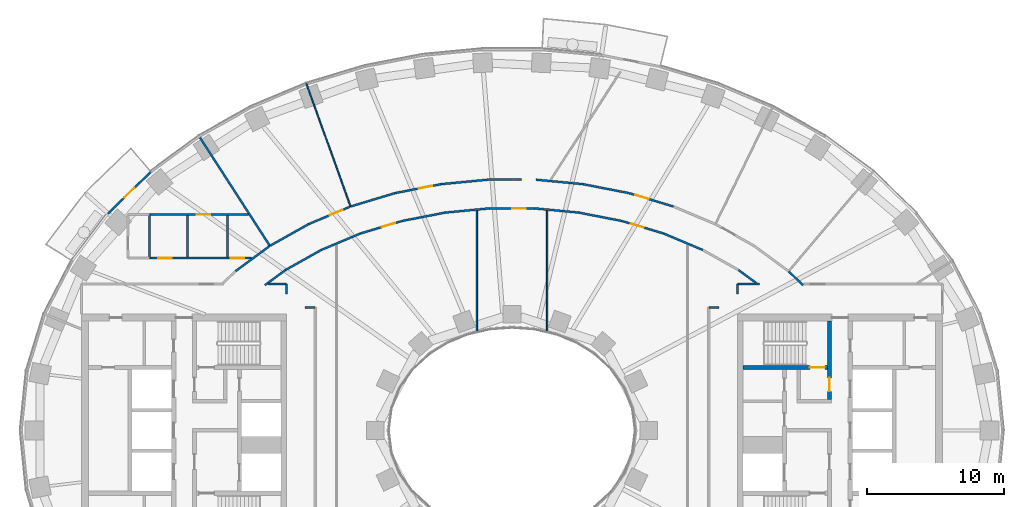
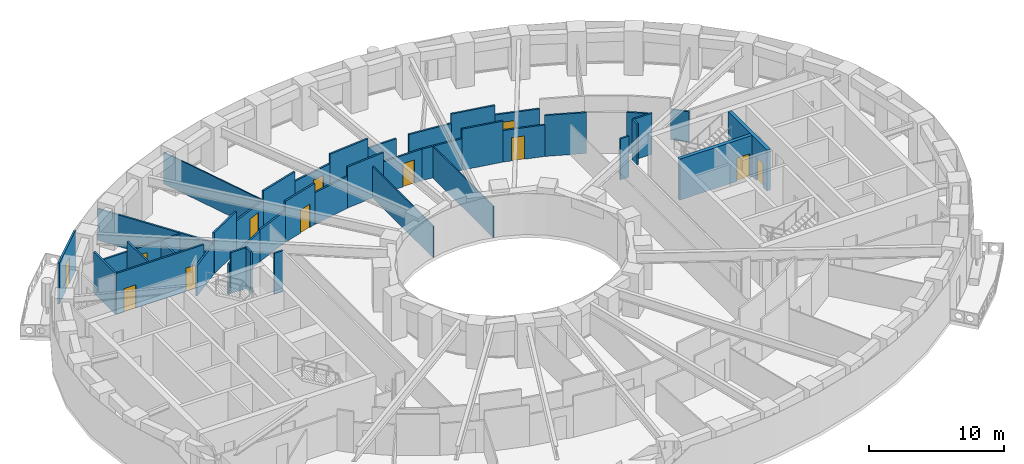
# One storey, part 6 of 16: 41 walls, 12 doors, 12 openings.
"""IFC4 building model written with IfcOpenShell, lengths in metres."""

from ifc_helpers import new_model, si_unit, direction, frame, frame_2d, origin, place, context, subcontext, project, spatial, rectangle, extrude, material, layer, layer_set, type_object, element, fill, save


model = new_model("IFC4")

# Units and contexts
model_context = context("Model", 3, precision=1e-05, world=origin(), true_north=direction((0.0, 1.0)))
body_context = subcontext(model_context, "Body", "Model", "MODEL_VIEW")
ifc_project = project(units=[si_unit("LENGTHUNIT", "METRE"), si_unit("AREAUNIT", "SQUARE_METRE"), si_unit("VOLUMEUNIT", "CUBIC_METRE"), si_unit("PLANEANGLEUNIT", "RADIAN"), si_unit("MASSUNIT", "GRAM", prefix="KILO")], contexts=[model_context])

# Site, building, storey
site_placement = place(None, origin())
site = spatial("IfcSite", under=ifc_project, at=site_placement, CompositionType="ELEMENT")
building_placement = place(site_placement, origin())
building = spatial("IfcBuilding", under=site, at=building_placement, Name="Noorbagh Ring Tower", CompositionType="ELEMENT")
storey_placement = place(building_placement, frame((0.0, 0.0, 70.5)))
storey = spatial("IfcBuildingStorey", under=building, at=storey_placement, Name="L15", CompositionType="ELEMENT", Elevation=70.5)

# Wall
ifc_material_1 = material(Name="Gypsum board on steel studs", Category="steel")
ifc_layer_1 = layer(ifc_material_1, 0.14990234375)
ifc_layer_set_1 = layer_set([ifc_layer_1], Name="Gypsum board on steel studs")
wall_type_1 = type_object("IfcWallType", Name="COMPARTMENT PARTITION 150 EI 60", PredefinedType="PARTITIONING", material=ifc_layer_set_1)
wall_1_placement = place(storey_placement, frame((-26.5390625, 12.60009765625, 0.0), z_axis=(0.0, 0.0, 1.0), x_axis=(0.0, 1.0, 0.0)))
element("IfcWall", 1, at=wall_1_placement, inside=storey, type_object=wall_type_1, Name="L15/wall/P10", PredefinedType="PARTITIONING", context=body_context, shape_type="SweptSolid", body=[
    extrude(rectangle(XDim=3.199951171875, YDim=0.14990234375, at=frame_2d((1.60009765625, 0.0))), origin(), (0.0, 0.0, 1.0), 3.699951171875),
])

# Wall, opening, door
ifc_material_2 = material(Name="Concrete C70/85", Category="concrete")
ifc_layer_2 = layer(ifc_material_2, 0.300048828125)
ifc_layer_set_2 = layer_set([ifc_layer_2], Name="Concrete C70/85")
wall_type_2 = type_object("IfcWallType", Name="CORE-WALL-300-C70-85-EI240", PredefinedType="SHEAR", material=ifc_layer_set_2)
wall_2_placement = place(storey_placement, frame((23.22998046875, 2.25, 0.0), z_axis=(0.0, 0.0, 1.0), x_axis=(0.0, 1.0, 0.0)))
wall_2 = element("IfcWall", 2, at=wall_2_placement, inside=storey, type_object=wall_type_2, Name="Core wall E", PredefinedType="SHEAR", context=body_context, shape_type="SweptSolid", body=[
    extrude(rectangle(XDim=5.75, YDim=0.300048828125, at=frame_2d((2.875, 0.0))), origin(), (0.0, 0.0, 1.0), 3.699951171875),
])
opening_1_placement = place(wall_2_placement, frame((0.60009765625, 0.0, 0.0)))
opening_1 = element("IfcOpeningElement", 3, at=opening_1_placement, cuts=wall_2, Name="Opening L15-CE08", PredefinedType="OPENING", context=body_context, shape_type="SweptSolid", body=[
    extrude(rectangle(XDim=1.0, YDim=2.10009765625, at=frame_2d((0.5, 1.050048828125))), frame((0.0, 0.16015625, 0.0), z_axis=(0.0, -1.0, 0.0), x_axis=(1.0, 0.0, 0.0)), (0.0, 0.0, 1.0), 0.320068359375),
])
ifc_material_3 = material(Name="Steel door leaf", Category="steel")
door_type_1 = type_object("IfcDoorType", Name="CORE-DOOR-DVEST", OperationType="SINGLE_SWING_LEFT", PredefinedType="DOOR", material=ifc_material_3)
door_1_placement = place(opening_1_placement, origin())
door_1 = element("IfcDoor", 4, at=door_1_placement, inside=storey, type_object=door_type_1, Name="Stair vestibule door L15-CE08", OperationType="SINGLE_SWING_RIGHT", OverallHeight=2.10009765625, OverallWidth=1.0, PredefinedType="DOOR", context=body_context, shape_type="SweptSolid", body=[
    extrude(rectangle(XDim=1.0, YDim=2.10009765625, at=frame_2d((0.5, 1.050048828125))), frame((0.0, 0.02490234375, 0.0), z_axis=(0.0, -1.0, 0.0), x_axis=(1.0, 0.0, 0.0)), (0.0, 0.0, 1.0), 0.050048828125),
])
fill(opening_1, door_1)

wall_3_placement = place(storey_placement, frame((16.89990234375, 4.60009765625, 0.0), z_axis=(0.0, 0.0, 1.0), x_axis=(1.0, 0.0, 0.0)))
wall_3 = element("IfcWall", 5, at=wall_3_placement, inside=storey, type_object=wall_type_2, Name="Core wall E", PredefinedType="SHEAR", context=body_context, shape_type="SweptSolid", body=[
    extrude(rectangle(XDim=6.18017578125, YDim=0.300048828125, at=frame_2d((3.090087890625, 0.0))), origin(), (0.0, 0.0, 1.0), 3.699951171875),
])
opening_2_placement = place(wall_3_placement, frame((4.89990234375, 0.0, 0.0)))
opening_2 = element("IfcOpeningElement", 6, at=opening_2_placement, cuts=wall_3, Name="Opening L15-CE05", PredefinedType="OPENING", context=body_context, shape_type="SweptSolid", body=[
    extrude(rectangle(XDim=1.10009765625, YDim=2.10009765625, at=frame_2d((0.550048828125, 1.050048828125))), frame((0.0, 0.16015625, 0.0), z_axis=(0.0, -1.0, 0.0), x_axis=(1.0, 0.0, 0.0)), (0.0, 0.0, 1.0), 0.320068359375),
])
ifc_material_4 = material(Name="Steel door leaf", Category="steel")
door_type_2 = type_object("IfcDoorType", Name="CORE-DOOR-DSTAIR", OperationType="SINGLE_SWING_LEFT", PredefinedType="DOOR", material=ifc_material_4)
door_2_placement = place(opening_2_placement, origin())
door_2 = element("IfcDoor", 7, at=door_2_placement, inside=storey, type_object=door_type_2, Name="Stair door ST3 L15-CE05", OperationType="SINGLE_SWING_LEFT", OverallHeight=2.10009765625, OverallWidth=1.10009765625, PredefinedType="DOOR", context=body_context, shape_type="SweptSolid", body=[
    extrude(rectangle(XDim=1.10009765625, YDim=2.10009765625, at=frame_2d((0.550048828125, 1.050048828125))), frame((0.0, 0.02490234375, 0.0), z_axis=(0.0, -1.0, 0.0), x_axis=(1.0, 0.0, 0.0)), (0.0, 0.0, 1.0), 0.050048828125),
])
fill(opening_2, door_2)

# Wall, openings, doors
ifc_material_5 = material(Name="Gypsum board on steel studs", Category="steel")
ifc_layer_3 = layer(ifc_material_5, 0.14990234375)
ifc_layer_set_3 = layer_set([ifc_layer_3], Name="Gypsum board on steel studs")
wall_type_3 = type_object("IfcWallType", Name="CORRIDOR PARTITION 150 EI 30", PredefinedType="PARTITIONING", material=ifc_layer_set_3)
wall_4_placement = place(storey_placement, frame((-26.5390625, 12.60009765625, 0.0), z_axis=(0.0, 0.0, 1.0), x_axis=(1.0, 0.0, 0.0)))
wall_4 = element("IfcWall", 8, at=wall_4_placement, inside=storey, type_object=wall_type_3, Name="L15/wall/P11", PredefinedType="PARTITIONING", context=body_context, shape_type="SweptSolid", body=[
    extrude(rectangle(XDim=7.466064453125, YDim=0.14990234375, at=frame_2d((3.73291015625, 0.0))), origin(), (0.0, 0.0, 1.0), 3.699951171875),
])
opening_3_placement = place(wall_4_placement, frame((5.94189453125, 0.0, 0.0)))
opening_3 = element("IfcOpeningElement", 9, at=opening_3_placement, cuts=wall_4, Name="Opening D3", PredefinedType="OPENING", context=body_context, shape_type="SweptSolid", body=[
    extrude(rectangle(XDim=1.0, YDim=2.10009765625, at=frame_2d((0.5, 1.050048828125))), frame((0.0, 0.0849609375, 0.0), z_axis=(0.0, -1.0, 0.0), x_axis=(1.0, 0.0, 0.0)), (0.0, 0.0, 1.0), 0.169921875),
])
opening_4_placement = place(wall_4_placement, frame((0.657958984375, 0.0, 0.0)))
opening_4 = element("IfcOpeningElement", 10, at=opening_4_placement, cuts=wall_4, Name="Opening D3", PredefinedType="OPENING", context=body_context, shape_type="SweptSolid", body=[
    extrude(rectangle(XDim=1.0, YDim=2.10009765625, at=frame_2d((0.5, 1.050048828125))), frame((0.0, 0.0849609375, 0.0), z_axis=(0.0, -1.0, 0.0), x_axis=(1.0, 0.0, 0.0)), (0.0, 0.0, 1.0), 0.169921875),
])
ifc_material_6 = material(Name="Timber, painted", Category="wood")
door_type_3 = type_object("IfcDoorType", Name="DOOR 1000 X 2100 WC", OperationType="SINGLE_SWING_LEFT", PredefinedType="DOOR", material=ifc_material_6)
door_3_placement = place(opening_3_placement, origin())
door_3 = element("IfcDoor", 11, at=door_3_placement, inside=storey, type_object=door_type_3, Name="L15-D02", OperationType="SINGLE_SWING_RIGHT", OverallHeight=2.10009765625, OverallWidth=1.0, PredefinedType="DOOR", context=body_context, shape_type="SweptSolid", body=[
    extrude(rectangle(XDim=1.0, YDim=2.10009765625, at=frame_2d((0.5, 1.050048828125))), frame((0.0, 0.02490234375, 0.0), z_axis=(0.0, -1.0, 0.0), x_axis=(1.0, 0.0, 0.0)), (0.0, 0.0, 1.0), 0.050048828125),
])
fill(opening_3, door_3)
door_4_placement = place(opening_4_placement, origin())
door_4 = element("IfcDoor", 12, at=door_4_placement, inside=storey, type_object=door_type_3, Name="L15-D04", OperationType="SINGLE_SWING_RIGHT", OverallHeight=2.10009765625, OverallWidth=1.0, PredefinedType="DOOR", context=body_context, shape_type="SweptSolid", body=[
    extrude(rectangle(XDim=1.0, YDim=2.10009765625, at=frame_2d((0.5, 1.050048828125))), frame((0.0, 0.02490234375, 0.0), z_axis=(0.0, -1.0, 0.0), x_axis=(1.0, 0.0, 0.0)), (0.0, 0.0, 1.0), 0.050048828125),
])
fill(opening_4, door_4)

# Wall, opening, door
wall_5_placement = place(storey_placement, frame((-26.5390625, 15.800048828125, 0.0), z_axis=(0.0, 0.0, 1.0), x_axis=(1.0, 0.0, 0.0)))
wall_5 = element("IfcWall", 13, at=wall_5_placement, inside=storey, type_object=wall_type_3, Name="L15/wall/P12", PredefinedType="PARTITIONING", context=body_context, shape_type="SweptSolid", body=[
    extrude(rectangle(XDim=7.2470703125, YDim=0.14990234375, at=frame_2d((3.62353515625, 0.0))), origin(), (0.0, 0.0, 1.0), 2.75),
])
opening_5_placement = place(wall_5_placement, frame((3.4580078125, 0.0, 0.0)))
opening_5 = element("IfcOpeningElement", 14, at=opening_5_placement, cuts=wall_5, Name="Opening D3", PredefinedType="OPENING", context=body_context, shape_type="SweptSolid", body=[
    extrude(rectangle(XDim=1.0, YDim=2.10009765625, at=frame_2d((0.5, 1.050048828125))), frame((0.0, 0.0849609375, 0.0), z_axis=(0.0, -1.0, 0.0), x_axis=(1.0, 0.0, 0.0)), (0.0, 0.0, 1.0), 0.169921875),
])
door_5_placement = place(opening_5_placement, origin())
door_5 = element("IfcDoor", 15, at=door_5_placement, inside=storey, type_object=door_type_3, Name="L15-D03", OperationType="SINGLE_SWING_LEFT", OverallHeight=2.10009765625, OverallWidth=1.0, PredefinedType="DOOR", context=body_context, shape_type="SweptSolid", body=[
    extrude(rectangle(XDim=1.0, YDim=2.10009765625, at=frame_2d((0.5, 1.050048828125))), frame((0.0, 0.02490234375, 0.0), z_axis=(0.0, -1.0, 0.0), x_axis=(1.0, 0.0, 0.0)), (0.0, 0.0, 1.0), 0.050048828125),
])
fill(opening_5, door_5)

# Walls
wall_6_placement = place(storey_placement, frame((-23.73095703125, 12.675048828125, 0.0), z_axis=(0.0, 0.0, 1.0), x_axis=(0.0, 1.0, 0.0)))
element("IfcWall", 16, at=wall_6_placement, inside=storey, type_object=wall_type_3, Name="L15/wall/P13", PredefinedType="PARTITIONING", context=body_context, shape_type="SweptSolid", body=[
    extrude(rectangle(XDim=3.050048828125, YDim=0.14990234375, at=frame_2d((1.52490234375, 0.0))), origin(), (0.0, 0.0, 1.0), 3.699951171875),
])
wall_7_placement = place(storey_placement, frame((-22.905029296875, 21.5419921875, 0.0), z_axis=(0.0, 0.0, 1.0), x_axis=(0.542244314938, -0.840220865557, 0.0)))
element("IfcWall", 17, at=wall_7_placement, inside=storey, type_object=wall_type_3, Name="L15/wall/P15", PredefinedType="PARTITIONING", context=body_context, shape_type="SweptSolid", body=[
    extrude(rectangle(XDim=9.56396484375, YDim=0.14990234375, at=frame_2d((4.781982421875, 0.0))), origin(), (0.0, 0.0, 1.0), 2.85009765625),
])
wall_8_placement = place(storey_placement, frame((-20.819091796875, 12.675048828125, 0.0), z_axis=(0.0, 0.0, 1.0), x_axis=(0.0, 1.0, 0.0)))
element("IfcWall", 18, at=wall_8_placement, inside=storey, type_object=wall_type_3, Name="L15/wall/P18", PredefinedType="PARTITIONING", context=body_context, shape_type="SweptSolid", body=[
    extrude(rectangle(XDim=3.050048828125, YDim=0.14990234375, at=frame_2d((1.52490234375, 0.0))), origin(), (0.0, 0.0, 1.0), 2.75),
])
wall_9_placement = place(storey_placement, frame((-20.242919921875, 11.64208984375, 0.0), z_axis=(0.0, 0.0, 1.0), x_axis=(0.805148342369, 0.593073475027, 0.0)))
element("IfcWall", 19, at=wall_9_placement, inside=storey, type_object=wall_type_3, Name="L15/wall/P20", PredefinedType="PARTITIONING", context=body_context, shape_type="SweptSolid", body=[
    extrude(rectangle(XDim=3.117431640625, YDim=0.14990234375, at=frame_2d((1.55859375, 0.0))), origin(), (0.0, 0.0, 1.0), 2.75),
])
wall_10_placement = place(storey_placement, frame((-18.0830078125, 10.625, 0.0), z_axis=(0.0, 0.0, 1.0), x_axis=(0.805150898842, 0.593070004379, 0.0)))
element("IfcWall", 20, at=wall_10_placement, inside=storey, type_object=wall_type_3, Name="L15/wall/P23", PredefinedType="PARTITIONING", context=body_context, shape_type="SweptSolid", body=[
    extrude(rectangle(XDim=1.871826171875, YDim=0.14990234375, at=frame_2d((0.93603515625, 0.0))), origin(), (0.0, 0.0, 1.0), 2.75),
])
wall_11_placement = place(storey_placement, frame((-17.85498046875, 10.699951171875, 0.0), z_axis=(0.0, 0.0, 1.0), x_axis=(1.0, 0.0, 0.0)))
element("IfcWall", 21, at=wall_11_placement, inside=storey, type_object=wall_type_3, Name="L15/wall/P24", PredefinedType="PARTITIONING", context=body_context, shape_type="SweptSolid", body=[
    extrude(rectangle(XDim=1.35498046875, YDim=0.14990234375, at=frame_2d((0.677490234375, 0.0))), origin(), (0.0, 0.0, 1.0), 3.699951171875),
])
wall_12_placement = place(storey_placement, frame((-17.698974609375, 13.512939453125, 0.0), z_axis=(0.0, 0.0, 1.0), x_axis=(0.872072163686, 0.489377299559, 0.0)))
element("IfcWall", 22, at=wall_12_placement, inside=storey, type_object=wall_type_3, Name="L15/wall/P26", PredefinedType="PARTITIONING", context=body_context, shape_type="SweptSolid", body=[
    extrude(rectangle(XDim=3.226806640625, YDim=0.14990234375, at=frame_2d((1.61328125, 0.0))), origin(), (0.0, 0.0, 1.0), 3.699951171875),
])
wall_13_placement = place(storey_placement, frame((-16.575927734375, 11.735107421875, 0.0), z_axis=(0.0, 0.0, 1.0), x_axis=(0.872164226045, 0.489213207924, 0.0)))
element("IfcWall", 23, at=wall_13_placement, inside=storey, type_object=wall_type_3, Name="L15/wall/P28", PredefinedType="PARTITIONING", context=body_context, shape_type="SweptSolid", body=[
    extrude(rectangle(XDim=2.998291015625, YDim=0.14990234375, at=frame_2d((1.4990234375, 0.0))), origin(), (0.0, 0.0, 1.0), 2.75),
])
wall_14_placement = place(storey_placement, frame((-16.5, 9.964111328125, 0.0), z_axis=(0.0, 0.0, 1.0), x_axis=(0.0, 1.0, 0.0)))
element("IfcWall", 24, at=wall_14_placement, inside=storey, type_object=wall_type_3, Name="L15/wall/P30", PredefinedType="PARTITIONING", context=body_context, shape_type="SweptSolid", body=[
    extrude(rectangle(XDim=0.73583984375, YDim=0.14990234375, at=frame_2d((0.367919921875, 0.0))), origin(), (0.0, 0.0, 1.0), 3.699951171875),
])
wall_15_placement = place(storey_placement, frame((-15.134033203125, 9.0, 0.0), z_axis=(0.0, 0.0, 1.0), x_axis=(1.0, 0.0, 0.0)))
element("IfcWall", 25, at=wall_15_placement, inside=storey, type_object=wall_type_3, Name="L15/wall/P32", PredefinedType="PARTITIONING", context=body_context, shape_type="SweptSolid", body=[
    extrude(rectangle(XDim=0.734130859375, YDim=0.14990234375, at=frame_2d((0.3671875, 0.0))), origin(), (0.0, 0.0, 1.0), 3.699951171875),
])

# Wall, opening, door
wall_16_placement = place(storey_placement, frame((-14.885009765625, 15.092041015625, 0.0), z_axis=(0.0, 0.0, 1.0), x_axis=(0.921844706698, 0.387559462189, 0.0)))
wall_16 = element("IfcWall", 26, at=wall_16_placement, inside=storey, type_object=wall_type_3, Name="L15/wall/P36", PredefinedType="PARTITIONING", context=body_context, shape_type="SweptSolid", body=[
    extrude(rectangle(XDim=3.31298828125, YDim=0.14990234375, at=frame_2d((1.656494140625, 0.0))), origin(), (0.0, 0.0, 1.0), 2.85009765625),
])
opening_6_placement = place(wall_16_placement, frame((1.68359375, 0.0, 0.0)))
opening_6 = element("IfcOpeningElement", 27, at=opening_6_placement, cuts=wall_16, Name="Opening D1", PredefinedType="OPENING", context=body_context, shape_type="SweptSolid", body=[
    extrude(rectangle(XDim=1.0, YDim=2.10009765625, at=frame_2d((0.5, 1.050048828125))), frame((0.0, 0.0849609375, 0.0), z_axis=(0.0, -1.0, 0.0), x_axis=(1.0, 0.0, 0.0)), (0.0, 0.0, 1.0), 0.169921875),
])
ifc_material_7 = material(Name="Timber, painted", Category="wood")
door_type_4 = type_object("IfcDoorType", Name="DOOR 1000 X 2100 FD30", OperationType="SINGLE_SWING_LEFT", PredefinedType="DOOR", material=ifc_material_7)
door_6_placement = place(opening_6_placement, origin())
door_6 = element("IfcDoor", 28, at=door_6_placement, inside=storey, type_object=door_type_4, Name="L15-D09", OperationType="SINGLE_SWING_LEFT", OverallHeight=2.10009765625, OverallWidth=1.0, PredefinedType="DOOR", context=body_context, shape_type="SweptSolid", body=[
    extrude(rectangle(XDim=1.0, YDim=2.10009765625, at=frame_2d((0.5, 1.050048828125))), frame((0.0, 0.02490234375, 0.0), z_axis=(0.0, -1.0, 0.0), x_axis=(1.0, 0.0, 0.0)), (0.0, 0.0, 1.0), 0.050048828125),
])
fill(opening_6, door_6)

# Walls
wall_17_placement = place(storey_placement, frame((-13.9609375, 13.201904296875, 0.0), z_axis=(0.0, 0.0, 1.0), x_axis=(0.921753827375, 0.387775555857, 0.0)))
element("IfcWall", 29, at=wall_17_placement, inside=storey, type_object=wall_type_3, Name="L15/wall/P39", PredefinedType="PARTITIONING", context=body_context, shape_type="SweptSolid", body=[
    extrude(rectangle(XDim=3.1025390625, YDim=0.14990234375, at=frame_2d((1.55126953125, 0.0))), origin(), (0.0, 0.0, 1.0), 2.85009765625),
])
wall_18_placement = place(storey_placement, frame((-11.81201171875, 16.384033203125, 0.0), z_axis=(0.0, 0.0, 1.0), x_axis=(0.95754884035, 0.28827108482, 0.0)))
element("IfcWall", 30, at=wall_18_placement, inside=storey, type_object=wall_type_3, Name="L15/wall/P42", PredefinedType="PARTITIONING", context=body_context, shape_type="SweptSolid", body=[
    extrude(rectangle(XDim=3.396240234375, YDim=0.14990234375, at=frame_2d((1.6982421875, 0.0))), origin(), (0.0, 0.0, 1.0), 3.699951171875),
])

# Wall, opening, door
wall_19_placement = place(storey_placement, frame((-11.10107421875, 14.405029296875, 0.0), z_axis=(0.0, 0.0, 1.0), x_axis=(0.957612601062, 0.28805920622, 0.0)))
wall_19 = element("IfcWall", 31, at=wall_19_placement, inside=storey, type_object=wall_type_3, Name="L15/wall/P44", PredefinedType="PARTITIONING", context=body_context, shape_type="SweptSolid", body=[
    extrude(rectangle(XDim=3.179931640625, YDim=0.14990234375, at=frame_2d((1.58984375, 0.0))), origin(), (0.0, 0.0, 1.0), 3.699951171875),
])
opening_7_placement = place(wall_19_placement, frame((1.64990234375, 0.0, 0.0)))
opening_7 = element("IfcOpeningElement", 32, at=opening_7_placement, cuts=wall_19, Name="Opening D1", PredefinedType="OPENING", context=body_context, shape_type="SweptSolid", body=[
    extrude(rectangle(XDim=1.0, YDim=2.10009765625, at=frame_2d((0.5, 1.050048828125))), frame((0.0, 0.0849609375, 0.0), z_axis=(0.0, -1.0, 0.0), x_axis=(1.0, 0.0, 0.0)), (0.0, 0.0, 1.0), 0.169921875),
])
door_7_placement = place(opening_7_placement, origin())
door_7 = element("IfcDoor", 33, at=door_7_placement, inside=storey, type_object=door_type_4, Name="L15-D22", OperationType="SINGLE_SWING_RIGHT", OverallHeight=2.10009765625, OverallWidth=1.0, PredefinedType="DOOR", context=body_context, shape_type="SweptSolid", body=[
    extrude(rectangle(XDim=1.0, YDim=2.10009765625, at=frame_2d((0.5, 1.050048828125))), frame((0.0, 0.02490234375, 0.0), z_axis=(0.0, -1.0, 0.0), x_axis=(1.0, 0.0, 0.0)), (0.0, 0.0, 1.0), 0.050048828125),
])
fill(opening_7, door_7)

wall_20_placement = place(storey_placement, frame((-8.56005859375, 17.363037109375, 0.0), z_axis=(0.0, 0.0, 1.0), x_axis=(0.981639027618, 0.1907480523, 0.0)))
wall_20 = element("IfcWall", 34, at=wall_20_placement, inside=storey, type_object=wall_type_3, Name="L15/wall/P46", PredefinedType="PARTITIONING", context=body_context, shape_type="SweptSolid", body=[
    extrude(rectangle(XDim=3.439208984375, YDim=0.14990234375, at=frame_2d((1.7197265625, 0.0))), origin(), (0.0, 0.0, 1.0), 2.85009765625),
])
opening_8_placement = place(wall_20_placement, frame((1.7890625, 0.0, 0.0)))
opening_8 = element("IfcOpeningElement", 35, at=opening_8_placement, cuts=wall_20, Name="Opening D1", PredefinedType="OPENING", context=body_context, shape_type="SweptSolid", body=[
    extrude(rectangle(XDim=1.0, YDim=2.10009765625, at=frame_2d((0.5, 1.050048828125))), frame((0.0, 0.0849609375, 0.0), z_axis=(0.0, -1.0, 0.0), x_axis=(1.0, 0.0, 0.0)), (0.0, 0.0, 1.0), 0.169921875),
])
door_8_placement = place(opening_8_placement, origin())
door_8 = element("IfcDoor", 36, at=door_8_placement, inside=storey, type_object=door_type_4, Name="L15-D11", OperationType="SINGLE_SWING_LEFT", OverallHeight=2.10009765625, OverallWidth=1.0, PredefinedType="DOOR", context=body_context, shape_type="SweptSolid", body=[
    extrude(rectangle(XDim=1.0, YDim=2.10009765625, at=frame_2d((0.5, 1.050048828125))), frame((0.0, 0.02490234375, 0.0), z_axis=(0.0, -1.0, 0.0), x_axis=(1.0, 0.0, 0.0)), (0.0, 0.0, 1.0), 0.050048828125),
])
fill(opening_8, door_8)

# Walls
wall_21_placement = place(storey_placement, frame((-8.055908203125, 15.321044921875, 0.0), z_axis=(0.0, 0.0, 1.0), x_axis=(0.981604377859, 0.190926282547, 0.0)))
element("IfcWall", 37, at=wall_21_placement, inside=storey, type_object=wall_type_3, Name="L15/wall/P48", PredefinedType="PARTITIONING", context=body_context, shape_type="SweptSolid", body=[
    extrude(rectangle(XDim=3.231201171875, YDim=0.14990234375, at=frame_2d((1.61572265625, 0.0))), origin(), (0.0, 0.0, 1.0), 2.85009765625),
])
wall_22_placement = place(storey_placement, frame((-5.18408203125, 18.01904296875, 0.0), z_axis=(0.0, 0.0, 1.0), x_axis=(0.995482474707, 0.09494547146, 0.0)))
element("IfcWall", 38, at=wall_22_placement, inside=storey, type_object=wall_type_3, Name="L15/wall/P50", PredefinedType="PARTITIONING", context=body_context, shape_type="SweptSolid", body=[
    extrude(rectangle(XDim=3.463623046875, YDim=0.14990234375, at=frame_2d((1.73193359375, 0.0))), origin(), (0.0, 0.0, 1.0), 3.699951171875),
])
wall_23_placement = place(storey_placement, frame((-4.884033203125, 15.93798828125, 0.0), z_axis=(0.0, 0.0, 1.0), x_axis=(0.99547459835, 0.095028017131, 0.0)))
element("IfcWall", 39, at=wall_23_placement, inside=storey, type_object=wall_type_3, Name="L15/wall/P52", PredefinedType="PARTITIONING", context=body_context, shape_type="SweptSolid", body=[
    extrude(rectangle(XDim=3.2626953125, YDim=0.14990234375, at=frame_2d((1.63134765625, 0.0))), origin(), (0.0, 0.0, 1.0), 3.699951171875),
])
wall_24_placement = place(storey_placement, frame((-1.736083984375, 18.347900390625, 0.0), z_axis=(0.0, 0.0, 1.0), x_axis=(1.0, 0.0, 0.0)))
element("IfcWall", 40, at=wall_24_placement, inside=storey, type_object=wall_type_3, Name="L15/wall/P56", PredefinedType="PARTITIONING", context=body_context, shape_type="SweptSolid", body=[
    extrude(rectangle(XDim=2.4130859375, YDim=0.14990234375, at=frame_2d((1.20654296875, 0.0))), origin(), (0.0, 0.0, 1.0), 2.85009765625),
])

# Wall, opening, door
wall_25_placement = place(storey_placement, frame((-1.635986328125, 16.248046875, 0.0), z_axis=(0.0, 0.0, 1.0), x_axis=(1.0, 0.0, 0.0)))
wall_25 = element("IfcWall", 41, at=wall_25_placement, inside=storey, type_object=wall_type_3, Name="L15/wall/P58", PredefinedType="PARTITIONING", context=body_context, shape_type="SweptSolid", body=[
    extrude(rectangle(XDim=3.27197265625, YDim=0.14990234375, at=frame_2d((1.635986328125, 0.0))), origin(), (0.0, 0.0, 1.0), 2.85009765625),
])
opening_9_placement = place(wall_25_placement, frame((1.64990234375, 0.0, 0.0)))
opening_9 = element("IfcOpeningElement", 42, at=opening_9_placement, cuts=wall_25, Name="Opening D1", PredefinedType="OPENING", context=body_context, shape_type="SweptSolid", body=[
    extrude(rectangle(XDim=1.0, YDim=2.10009765625, at=frame_2d((0.5, 1.050048828125))), frame((0.0, 0.0849609375, 0.0), z_axis=(0.0, -1.0, 0.0), x_axis=(1.0, 0.0, 0.0)), (0.0, 0.0, 1.0), 0.169921875),
])
door_9_placement = place(opening_9_placement, origin())
door_9 = element("IfcDoor", 43, at=door_9_placement, inside=storey, type_object=door_type_4, Name="L15-D24", OperationType="SINGLE_SWING_RIGHT", OverallHeight=2.10009765625, OverallWidth=1.0, PredefinedType="DOOR", context=body_context, shape_type="SweptSolid", body=[
    extrude(rectangle(XDim=1.0, YDim=2.10009765625, at=frame_2d((0.5, 1.050048828125))), frame((0.0, 0.02490234375, 0.0), z_axis=(0.0, -1.0, 0.0), x_axis=(1.0, 0.0, 0.0)), (0.0, 0.0, 1.0), 0.050048828125),
])
fill(opening_9, door_9)

# Walls
wall_26_placement = place(storey_placement, frame((1.635986328125, 16.248046875, 0.0), z_axis=(0.0, 0.0, 1.0), x_axis=(0.99547459835, -0.095028017131, 0.0)))
element("IfcWall", 44, at=wall_26_placement, inside=storey, type_object=wall_type_3, Name="L15/wall/P60", PredefinedType="PARTITIONING", context=body_context, shape_type="SweptSolid", body=[
    extrude(rectangle(XDim=3.2626953125, YDim=0.14990234375, at=frame_2d((1.63134765625, 0.0))), origin(), (0.0, 0.0, 1.0), 2.85009765625),
])
wall_27_placement = place(storey_placement, frame((1.756103515625, 18.345947265625, 0.0), z_axis=(0.0, 0.0, 1.0), x_axis=(0.99548367506, -0.094932885187, 0.0)))
element("IfcWall", 45, at=wall_27_placement, inside=storey, type_object=wall_type_3, Name="L15/wall/P63", PredefinedType="PARTITIONING", context=body_context, shape_type="SweptSolid", body=[
    extrude(rectangle(XDim=3.443603515625, YDim=0.14990234375, at=frame_2d((1.7216796875, 0.0))), origin(), (0.0, 0.0, 1.0), 2.85009765625),
])
wall_28_placement = place(storey_placement, frame((4.884033203125, 15.93798828125, 0.0), z_axis=(0.0, 0.0, 1.0), x_axis=(0.981604377859, -0.190926282547, 0.0)))
element("IfcWall", 46, at=wall_28_placement, inside=storey, type_object=wall_type_3, Name="L15/wall/P68", PredefinedType="PARTITIONING", context=body_context, shape_type="SweptSolid", body=[
    extrude(rectangle(XDim=3.231201171875, YDim=0.14990234375, at=frame_2d((1.61572265625, 0.0))), origin(), (0.0, 0.0, 1.0), 3.699951171875),
])
wall_29_placement = place(storey_placement, frame((5.18408203125, 18.01904296875, 0.0), z_axis=(0.0, 0.0, 1.0), x_axis=(0.981650299947, -0.190690032812, 0.0)))
element("IfcWall", 47, at=wall_29_placement, inside=storey, type_object=wall_type_3, Name="L15/wall/P70", PredefinedType="PARTITIONING", context=body_context, shape_type="SweptSolid", body=[
    extrude(rectangle(XDim=3.419677734375, YDim=0.14990234375, at=frame_2d((1.7099609375, 0.0))), origin(), (0.0, 0.0, 1.0), 3.699951171875),
])

# Wall, opening, door
wall_30_placement = place(storey_placement, frame((8.055908203125, 15.321044921875, 0.0), z_axis=(0.0, 0.0, 1.0), x_axis=(0.957612601062, -0.28805920622, 0.0)))
wall_30 = element("IfcWall", 48, at=wall_30_placement, inside=storey, type_object=wall_type_3, Name="L15/wall/P72", PredefinedType="PARTITIONING", context=body_context, shape_type="SweptSolid", body=[
    extrude(rectangle(XDim=3.179931640625, YDim=0.14990234375, at=frame_2d((1.58984375, 0.0))), origin(), (0.0, 0.0, 1.0), 2.85009765625),
])
opening_10_placement = place(wall_30_placement, frame((0.64990234375, 0.0, 0.0)))
opening_10 = element("IfcOpeningElement", 49, at=opening_10_placement, cuts=wall_30, Name="Opening D1", PredefinedType="OPENING", context=body_context, shape_type="SweptSolid", body=[
    extrude(rectangle(XDim=1.0, YDim=2.10009765625, at=frame_2d((0.5, 1.050048828125))), frame((0.0, 0.0849609375, 0.0), z_axis=(0.0, -1.0, 0.0), x_axis=(1.0, 0.0, 0.0)), (0.0, 0.0, 1.0), 0.169921875),
])
door_10_placement = place(opening_10_placement, origin())
door_10 = element("IfcDoor", 50, at=door_10_placement, inside=storey, type_object=door_type_4, Name="L15-D25", OperationType="SINGLE_SWING_LEFT", OverallHeight=2.10009765625, OverallWidth=1.0, PredefinedType="DOOR", context=body_context, shape_type="SweptSolid", body=[
    extrude(rectangle(XDim=1.0, YDim=2.10009765625, at=frame_2d((0.5, 1.050048828125))), frame((0.0, 0.02490234375, 0.0), z_axis=(0.0, -1.0, 0.0), x_axis=(1.0, 0.0, 0.0)), (0.0, 0.0, 1.0), 0.050048828125),
])
fill(opening_10, door_10)

wall_31_placement = place(storey_placement, frame((8.56005859375, 17.363037109375, 0.0), z_axis=(0.0, 0.0, 1.0), x_axis=(0.95754884035, -0.28827108482, 0.0)))
wall_31 = element("IfcWall", 51, at=wall_31_placement, inside=storey, type_object=wall_type_3, Name="L15/wall/P74", PredefinedType="PARTITIONING", context=body_context, shape_type="SweptSolid", body=[
    extrude(rectangle(XDim=3.396240234375, YDim=0.14990234375, at=frame_2d((1.6982421875, 0.0))), origin(), (0.0, 0.0, 1.0), 2.85009765625),
])
opening_11_placement = place(wall_31_placement, frame((0.49609375, 0.0, 0.0)))
opening_11 = element("IfcOpeningElement", 52, at=opening_11_placement, cuts=wall_31, Name="Opening D1", PredefinedType="OPENING", context=body_context, shape_type="SweptSolid", body=[
    extrude(rectangle(XDim=1.0, YDim=2.10009765625, at=frame_2d((0.5, 1.050048828125))), frame((0.0, 0.0849609375, 0.0), z_axis=(0.0, -1.0, 0.0), x_axis=(1.0, 0.0, 0.0)), (0.0, 0.0, 1.0), 0.169921875),
])
door_11_placement = place(opening_11_placement, origin())
door_11 = element("IfcDoor", 53, at=door_11_placement, inside=storey, type_object=door_type_4, Name="L15-D14", OperationType="SINGLE_SWING_RIGHT", OverallHeight=2.10009765625, OverallWidth=1.0, PredefinedType="DOOR", context=body_context, shape_type="SweptSolid", body=[
    extrude(rectangle(XDim=1.0, YDim=2.10009765625, at=frame_2d((0.5, 1.050048828125))), frame((0.0, 0.02490234375, 0.0), z_axis=(0.0, -1.0, 0.0), x_axis=(1.0, 0.0, 0.0)), (0.0, 0.0, 1.0), 0.050048828125),
])
fill(opening_11, door_11)

# Walls
wall_32_placement = place(storey_placement, frame((11.10107421875, 14.405029296875, 0.0), z_axis=(0.0, 0.0, 1.0), x_axis=(0.921753827375, -0.387775555857, 0.0)))
element("IfcWall", 54, at=wall_32_placement, inside=storey, type_object=wall_type_3, Name="L15/wall/P77", PredefinedType="PARTITIONING", context=body_context, shape_type="SweptSolid", body=[
    extrude(rectangle(XDim=3.1025390625, YDim=0.14990234375, at=frame_2d((1.55126953125, 0.0))), origin(), (0.0, 0.0, 1.0), 3.699951171875),
])
wall_33_placement = place(storey_placement, frame((14.39990234375, 9.0, 0.0), z_axis=(0.0, 0.0, 1.0), x_axis=(1.0, 0.0, 0.0)))
element("IfcWall", 55, at=wall_33_placement, inside=storey, type_object=wall_type_3, Name="L15/wall/P85", PredefinedType="PARTITIONING", context=body_context, shape_type="SweptSolid", body=[
    extrude(rectangle(XDim=0.734130859375, YDim=0.14990234375, at=frame_2d((0.3671875, 0.0))), origin(), (0.0, 0.0, 1.0), 3.699951171875),
])
wall_34_placement = place(storey_placement, frame((16.5, 9.964111328125, 0.0), z_axis=(0.0, 0.0, 1.0), x_axis=(0.0, 1.0, 0.0)))
element("IfcWall", 56, at=wall_34_placement, inside=storey, type_object=wall_type_3, Name="L15/wall/P92", PredefinedType="PARTITIONING", context=body_context, shape_type="SweptSolid", body=[
    extrude(rectangle(XDim=0.73583984375, YDim=0.14990234375, at=frame_2d((0.367919921875, 0.0))), origin(), (0.0, 0.0, 1.0), 3.699951171875),
])
wall_35_placement = place(storey_placement, frame((16.5, 10.699951171875, 0.0), z_axis=(0.0, 0.0, 1.0), x_axis=(1.0, 0.0, 0.0)))
element("IfcWall", 57, at=wall_35_placement, inside=storey, type_object=wall_type_3, Name="L15/wall/P93", PredefinedType="PARTITIONING", context=body_context, shape_type="SweptSolid", body=[
    extrude(rectangle(XDim=1.60693359375, YDim=0.14990234375, at=frame_2d((0.803466796875, 0.0))), origin(), (0.0, 0.0, 1.0), 3.699951171875),
])
wall_36_placement = place(storey_placement, frame((16.575927734375, 11.735107421875, 0.0), z_axis=(0.0, 0.0, 1.0), x_axis=(0.805021714708, -0.593245344566, 0.0)))
element("IfcWall", 58, at=wall_36_placement, inside=storey, type_object=wall_type_3, Name="L15/wall/P95", PredefinedType="PARTITIONING", context=body_context, shape_type="SweptSolid", body=[
    extrude(rectangle(XDim=1.61865234375, YDim=0.14990234375, at=frame_2d((0.809326171875, 0.0))), origin(), (0.0, 0.0, 1.0), 3.699951171875),
])
wall_37_placement = place(storey_placement, frame((20.257080078125, 11.6279296875, 0.0), z_axis=(0.0, 0.0, 1.0), x_axis=(0.717129161976, -0.696940288005, 0.0)))
element("IfcWall", 59, at=wall_37_placement, inside=storey, type_object=wall_type_3, Name="L15/wall/P101", PredefinedType="PARTITIONING", context=body_context, shape_type="SweptSolid", body=[
    extrude(rectangle(XDim=1.43896484375, YDim=0.14990234375, at=frame_2d((0.719482421875, 0.0))), origin(), (0.0, 0.0, 1.0), 2.75),
])

# Wall, opening, door
ifc_material_8 = material(Name="Insulated aluminium clad panel", Category="aluminium")
ifc_layer_4 = layer(ifc_material_8, 0.14990234375)
ifc_layer_set_4 = layer_set([ifc_layer_4], Name="Insulated aluminium clad panel")
wall_type_4 = type_object("IfcWallType", Name="ENV-WALL-DOOR", PredefinedType="STANDARD", material=ifc_layer_set_4)
wall_38_placement = place(storey_placement, frame((-26.396484375, 18.943359375, 0.0), z_axis=(0.0, 0.0, 1.0), x_axis=(-0.717214761864, -0.696852197647, 0.0)))
wall_38 = element("IfcWall", 60, at=wall_38_placement, inside=storey, type_object=wall_type_4, Name="Balcony door wall chord 19", PredefinedType="STANDARD", context=body_context, shape_type="SweptSolid", body=[
    extrude(rectangle(XDim=4.424072265625, YDim=0.14990234375, at=frame_2d((2.2119140625, 0.0))), origin(), (0.0, 0.0, 1.0), 3.699951171875),
])
opening_12_placement = place(wall_38_placement, frame((1.712158203125, 0.0, 0.0)))
opening_12 = element("IfcOpeningElement", 61, at=opening_12_placement, cuts=wall_38, Name="Opening D-BL", PredefinedType="OPENING", context=body_context, shape_type="SweptSolid", body=[
    extrude(rectangle(XDim=1.0, YDim=2.39990234375, at=frame_2d((0.5, 1.199951171875))), frame((0.0, 0.0849609375, 0.0), z_axis=(0.0, -1.0, 0.0), x_axis=(1.0, 0.0, 0.0)), (0.0, 0.0, 1.0), 0.169921875),
])
ifc_material_9 = material(Name="Aluminium and glass", Category="aluminium")
door_type_5 = type_object("IfcDoorType", Name="ENV-DOOR-BALCONY", OperationType="SINGLE_SWING_LEFT", PredefinedType="DOOR", material=ifc_material_9)
door_12_placement = place(opening_12_placement, origin())
door_12 = element("IfcDoor", 62, at=door_12_placement, inside=storey, type_object=door_type_5, Name="Balcony door chord 19", OperationType="SINGLE_SWING_RIGHT", OverallHeight=2.39990234375, OverallWidth=1.0, PredefinedType="DOOR", context=body_context, shape_type="SweptSolid", body=[
    extrude(rectangle(XDim=1.0, YDim=2.39990234375, at=frame_2d((0.5, 1.199951171875))), frame((0.0, 0.02490234375, 0.0), z_axis=(0.0, -1.0, 0.0), x_axis=(1.0, 0.0, 0.0)), (0.0, 0.0, 1.0), 0.050048828125),
])
fill(opening_12, door_12)

# Walls
ifc_material_10 = material(Name="Gypsum board on steel studs", Category="steel")
ifc_layer_5 = layer(ifc_material_10, 0.10009765625)
ifc_layer_set_5 = layer_set([ifc_layer_5], Name="Gypsum board on steel studs")
wall_type_5 = type_object("IfcWallType", Name="PARTITION 100 GYPSUM", PredefinedType="PARTITIONING", material=ifc_layer_set_5)
wall_39_placement = place(storey_placement, frame((-15.048095703125, 25.383056640625, 0.0), z_axis=(0.0, 0.0, 1.0), x_axis=(0.338338680362, -0.941024408488, 0.0)))
element("IfcWall", 63, at=wall_39_placement, inside=storey, type_object=wall_type_5, Name="L15/wall/P34", PredefinedType="PARTITIONING", context=body_context, shape_type="SweptSolid", body=[
    extrude(rectangle(XDim=9.558837890625, YDim=0.10009765625, at=frame_2d((4.779296875, 0.0))), origin(), (0.0, 0.0, 1.0), 2.85009765625),
])
for number, where, z_axis, x_axis, name in (
    (64, (-2.569091796875, 7.160888671875, 0.0), (0.0, 0.0, 1.0), (0.0, 1.0, 0.0), "L15/wall/P54"),
    (65, (2.569091796875, 7.160888671875, 0.0), (0.0, 0.0, 1.0), (0.0, 1.0, 0.0), "L15/wall/P65"),
):
    element("IfcWall", number, at=place(storey_placement, frame(where, z_axis=z_axis, x_axis=x_axis)), inside=storey, type_object=wall_type_5, Name=name, PredefinedType="PARTITIONING", context=body_context, shape_type="SweptSolid", body=[
        extrude(rectangle(XDim=8.919189453125, YDim=0.10009765625, at=frame_2d((4.45947265625, 0.0))), origin(), (0.0, 0.0, 1.0), 2.85009765625),
    ])

save(model, "model.ifc")
